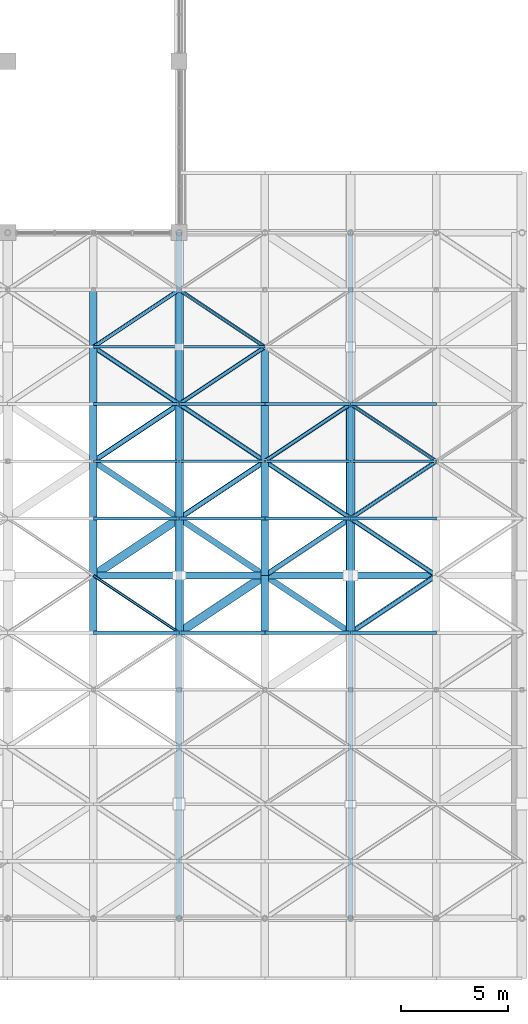
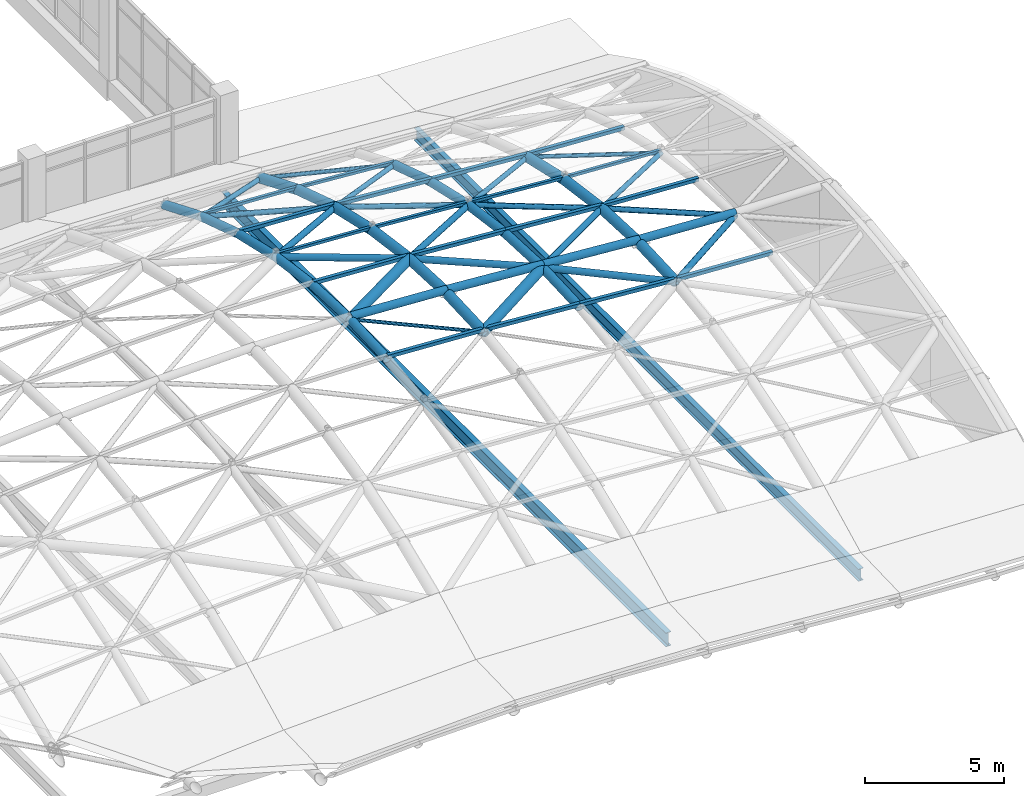
# One storey, part 31 of 72: 42 members, 23 beams.
"""IFC4 building model written with IfcOpenShell, lengths in metres."""

from ifc_helpers import new_model, si_unit, direction, frame, origin, origin_2d, place, context, subcontext, project, spatial, hollow_rectangle, hollow_circle, i_section, extrude, material, material_profile, profile_set, type_object, element, save


model = new_model("IFC4")

# Units and contexts
model_context = context("Model", 3, precision=1e-05, world=origin(), true_north=direction((0.0, 1.0)))
body_context = subcontext(model_context, "Body", "Model", "MODEL_VIEW")
ifc_project = project(units=[si_unit("LENGTHUNIT", "METRE"), si_unit("AREAUNIT", "SQUARE_METRE"), si_unit("VOLUMEUNIT", "CUBIC_METRE"), si_unit("PLANEANGLEUNIT", "RADIAN"), si_unit("MASSUNIT", "GRAM", prefix="KILO")], contexts=[model_context])

# Site, building, storey
site_placement = place(None, origin())
site = spatial("IfcSite", under=ifc_project, at=site_placement, CompositionType="ELEMENT")
building_placement = place(site_placement, origin())
building = spatial("IfcBuilding", under=site, at=building_placement, Name="Tenunan Teduh Sports Hall", CompositionType="ELEMENT")
storey_placement = place(building_placement, frame((0.0, 0.0, 15.0)))
storey = spatial("IfcBuildingStorey", under=building, at=storey_placement, Name="L03", CompositionType="ELEMENT", Elevation=15.0)

# Beams
ifc_material_1 = material(Name="Steel S355", Category="steel")
ifc_material_profile_1 = material_profile(ifc_material_1, hollow_circle(Radius=0.177734375, WallThickness=0.012451171875, at=origin_2d()), Name="CHS 355.6x12.5")
ifc_profile_set_1 = profile_set([ifc_material_profile_1], Name="Steel S355")
beam_type_1 = type_object("IfcBeamType", Name="GSB-CHS356", PredefinedType="BEAM", material=ifc_profile_set_1)
for number, where, z_axis, x_axis, name in (
    (1, (150.0, 27.333251953125, 5.0185546875), (0.0, 0.998970613421, 0.045362027305), (-1.0, 0.0, 0.0), "Gridshell Vault Arch BM-GR-04-L03-0166"),
    (2, (150.0, 30.0, 5.1396484375), (0.0, 0.998970613421, -0.045362027305), (-1.0, 0.0, 0.0), "Gridshell Vault Arch BM-GR-04-L03-0167"),
):
    element("IfcBeam", number, at=place(storey_placement, frame(where, z_axis=z_axis, x_axis=x_axis)), inside=storey, type_object=beam_type_1, Name=name, PredefinedType="BEAM", context=body_context, shape_type="SweptSolid", body=[
        extrude(hollow_circle(Radius=0.177734375, WallThickness=0.012451171875, at=origin_2d()), origin(), (0.0, 0.0, 1.0), 2.66943359375),
    ])
beam_1_placement = place(storey_placement, frame((150.0, 32.666748046875, 5.0185546875), z_axis=(0.0, 0.99065158568, -0.136416405866), x_axis=(-1.0, 0.0, 0.0)))
element("IfcBeam", 3, at=beam_1_placement, inside=storey, type_object=beam_type_1, Name="Gridshell Vault Arch BM-GR-04-L03-0168", PredefinedType="BEAM", context=body_context, shape_type="SweptSolid", body=[
    extrude(hollow_circle(Radius=0.177734375, WallThickness=0.012451171875, at=origin_2d()), origin(), (0.0, 0.0, 1.0), 2.691650390625),
])
beam_2_placement = place(storey_placement, frame((150.0, 35.333251953125, 4.6513671875), z_axis=(0.0, 0.974871798782, -0.222766640095), x_axis=(-1.0, 0.0, 0.0)))
element("IfcBeam", 4, at=beam_2_placement, inside=storey, type_object=beam_type_1, Name="Gridshell Vault Arch BM-GR-04-L03-0169", PredefinedType="BEAM", context=body_context, shape_type="SweptSolid", body=[
    extrude(hollow_circle(Radius=0.177734375, WallThickness=0.012451171875, at=origin_2d()), origin(), (0.0, 0.0, 1.0), 2.735595703125),
])
beam_3_placement = place(storey_placement, frame((150.0, 38.0, 4.0419921875), z_axis=(0.0, 0.952205270427, -0.305458872798), x_axis=(-1.0, 0.0, 0.0)))
element("IfcBeam", 5, at=beam_3_placement, inside=storey, type_object=beam_type_1, Name="Gridshell Vault Arch BM-GR-04-L03-0170", PredefinedType="BEAM", context=body_context, shape_type="SweptSolid", body=[
    extrude(hollow_circle(Radius=0.177734375, WallThickness=0.012451171875, at=origin_2d()), origin(), (0.0, 0.0, 1.0), 2.800537109375),
])
beam_4_placement = place(storey_placement, frame((150.0, 40.666748046875, 3.1865234375), z_axis=(0.0, 0.924239355634, -0.381813584748), x_axis=(-1.0, 0.0, 0.0)))
element("IfcBeam", 6, at=beam_4_placement, inside=storey, type_object=beam_type_1, Name="Gridshell Vault Arch BM-GR-04-L03-0171", PredefinedType="BEAM", context=body_context, shape_type="SweptSolid", body=[
    extrude(hollow_circle(Radius=0.177734375, WallThickness=0.012451171875, at=origin_2d()), origin(), (0.0, 0.0, 1.0), 2.885009765625),
])
for number, where, z_axis, x_axis, name in (
    (7, (158.0, 27.333251953125, 4.4990234375), (0.0, 0.998970613421, 0.045362027305), (-1.0, 0.0, 0.0), "Gridshell Vault Arch BM-GR-04-L03-0192"),
    (8, (158.0, 30.0, 4.6201171875), (0.0, 0.998970613421, -0.045362027305), (-1.0, 0.0, 0.0), "Gridshell Vault Arch BM-GR-04-L03-0193"),
):
    element("IfcBeam", number, at=place(storey_placement, frame(where, z_axis=z_axis, x_axis=x_axis)), inside=storey, type_object=beam_type_1, Name=name, PredefinedType="BEAM", context=body_context, shape_type="SweptSolid", body=[
        extrude(hollow_circle(Radius=0.177734375, WallThickness=0.012451171875, at=origin_2d()), origin(), (0.0, 0.0, 1.0), 2.66943359375),
    ])
beam_5_placement = place(storey_placement, frame((158.0, 32.666748046875, 4.4990234375), z_axis=(0.0, 0.99065158568, -0.136416405866), x_axis=(-1.0, 0.0, 0.0)))
element("IfcBeam", 9, at=beam_5_placement, inside=storey, type_object=beam_type_1, Name="Gridshell Vault Arch BM-GR-04-L03-0194", PredefinedType="BEAM", context=body_context, shape_type="SweptSolid", body=[
    extrude(hollow_circle(Radius=0.177734375, WallThickness=0.012451171875, at=origin_2d()), origin(), (0.0, 0.0, 1.0), 2.691650390625),
])
beam_6_placement = place(storey_placement, frame((158.0, 35.333251953125, 4.1318359375), z_axis=(0.0, 0.974871798782, -0.222766640095), x_axis=(-1.0, 0.0, 0.0)))
element("IfcBeam", 10, at=beam_6_placement, inside=storey, type_object=beam_type_1, Name="Gridshell Vault Arch BM-GR-04-L03-0195", PredefinedType="BEAM", context=body_context, shape_type="SweptSolid", body=[
    extrude(hollow_circle(Radius=0.177734375, WallThickness=0.012451171875, at=origin_2d()), origin(), (0.0, 0.0, 1.0), 2.735595703125),
])
beam_7_placement = place(storey_placement, frame((158.0, 38.0, 3.5224609375), z_axis=(0.0, 0.952205270427, -0.305458872798), x_axis=(-1.0, 0.0, 0.0)))
element("IfcBeam", 11, at=beam_7_placement, inside=storey, type_object=beam_type_1, Name="Gridshell Vault Arch BM-GR-04-L03-0196", PredefinedType="BEAM", context=body_context, shape_type="SweptSolid", body=[
    extrude(hollow_circle(Radius=0.177734375, WallThickness=0.012451171875, at=origin_2d()), origin(), (0.0, 0.0, 1.0), 2.800537109375),
])
ifc_material_2 = material(Name="Steel S355", Category="steel")
ifc_material_profile_2 = material_profile(ifc_material_2, hollow_circle(Radius=0.203125, WallThickness=0.01611328125, at=origin_2d()), Name="CHS 406.4x16.0")
ifc_profile_set_2 = profile_set([ifc_material_profile_2], Name="Steel S355")
beam_type_2 = type_object("IfcBeamType", Name="GSB-CHS406", PredefinedType="BEAM", material=ifc_profile_set_2)
for number, where, z_axis, x_axis, name in (
    (12, (154.0, 27.333251953125, 4.7958984375), (0.0, 0.998970613421, 0.045362027305), (-1.0, 0.0, 0.0), "Gridshell Vault Arch BM-GA-02-L03-0179"),
    (13, (154.0, 30.0, 4.9169921875), (0.0, 0.998970613421, -0.045362027305), (-1.0, 0.0, 0.0), "Gridshell Vault Arch BM-GA-02-L03-0180"),
):
    element("IfcBeam", number, at=place(storey_placement, frame(where, z_axis=z_axis, x_axis=x_axis)), inside=storey, type_object=beam_type_2, Name=name, PredefinedType="BEAM", context=body_context, shape_type="SweptSolid", body=[
        extrude(hollow_circle(Radius=0.203125, WallThickness=0.01611328125, at=origin_2d()), origin(), (0.0, 0.0, 1.0), 2.66943359375),
    ])
beam_8_placement = place(storey_placement, frame((154.0, 32.666748046875, 4.7958984375), z_axis=(0.0, 0.99065158568, -0.136416405866), x_axis=(-1.0, 0.0, 0.0)))
element("IfcBeam", 14, at=beam_8_placement, inside=storey, type_object=beam_type_2, Name="Gridshell Vault Arch BM-GA-02-L03-0181", PredefinedType="BEAM", context=body_context, shape_type="SweptSolid", body=[
    extrude(hollow_circle(Radius=0.203125, WallThickness=0.01611328125, at=origin_2d()), origin(), (0.0, 0.0, 1.0), 2.691650390625),
])
beam_9_placement = place(storey_placement, frame((154.0, 35.333251953125, 4.4287109375), z_axis=(0.0, 0.974871798782, -0.222766640095), x_axis=(-1.0, 0.0, 0.0)))
element("IfcBeam", 15, at=beam_9_placement, inside=storey, type_object=beam_type_2, Name="Gridshell Vault Arch BM-GA-02-L03-0182", PredefinedType="BEAM", context=body_context, shape_type="SweptSolid", body=[
    extrude(hollow_circle(Radius=0.203125, WallThickness=0.01611328125, at=origin_2d()), origin(), (0.0, 0.0, 1.0), 2.735595703125),
])
beam_10_placement = place(storey_placement, frame((154.0, 38.0, 3.8193359375), z_axis=(0.0, 0.952205270427, -0.305458872798), x_axis=(-1.0, 0.0, 0.0)))
element("IfcBeam", 16, at=beam_10_placement, inside=storey, type_object=beam_type_2, Name="Gridshell Vault Arch BM-GA-02-L03-0183", PredefinedType="BEAM", context=body_context, shape_type="SweptSolid", body=[
    extrude(hollow_circle(Radius=0.203125, WallThickness=0.01611328125, at=origin_2d()), origin(), (0.0, 0.0, 1.0), 2.800537109375),
])
beam_11_placement = place(storey_placement, frame((154.0, 40.666748046875, 2.9638671875), z_axis=(0.0, 0.924239355634, -0.381813584748), x_axis=(-1.0, 0.0, 0.0)))
element("IfcBeam", 17, at=beam_11_placement, inside=storey, type_object=beam_type_2, Name="Gridshell Vault Arch BM-GA-02-L03-0184", PredefinedType="BEAM", context=body_context, shape_type="SweptSolid", body=[
    extrude(hollow_circle(Radius=0.203125, WallThickness=0.01611328125, at=origin_2d()), origin(), (0.0, 0.0, 1.0), 2.885009765625),
])
for number, where, z_axis, x_axis, name in (
    (18, (162.0, 27.333251953125, 4.1982421875), (0.0, 0.998970613421, 0.045362027305), (-1.0, 0.0, 0.0), "Gridshell Vault Arch BM-GA-02-L03-0206"),
    (19, (162.0, 30.0, 4.3193359375), (0.0, 0.998970613421, -0.045362027305), (-1.0, 0.0, 0.0), "Gridshell Vault Arch BM-GA-02-L03-0207"),
):
    element("IfcBeam", number, at=place(storey_placement, frame(where, z_axis=z_axis, x_axis=x_axis)), inside=storey, type_object=beam_type_2, Name=name, PredefinedType="BEAM", context=body_context, shape_type="SweptSolid", body=[
        extrude(hollow_circle(Radius=0.203125, WallThickness=0.01611328125, at=origin_2d()), origin(), (0.0, 0.0, 1.0), 2.66943359375),
    ])
beam_12_placement = place(storey_placement, frame((162.0, 32.666748046875, 4.1982421875), z_axis=(0.0, 0.99065158568, -0.136416405866), x_axis=(-1.0, 0.0, 0.0)))
element("IfcBeam", 20, at=beam_12_placement, inside=storey, type_object=beam_type_2, Name="Gridshell Vault Arch BM-GA-02-L03-0208", PredefinedType="BEAM", context=body_context, shape_type="SweptSolid", body=[
    extrude(hollow_circle(Radius=0.203125, WallThickness=0.01611328125, at=origin_2d()), origin(), (0.0, 0.0, 1.0), 2.691650390625),
])
beam_13_placement = place(storey_placement, frame((162.0, 35.333251953125, 3.8310546875), z_axis=(0.0, 0.974871798782, -0.222766640095), x_axis=(-1.0, 0.0, 0.0)))
element("IfcBeam", 21, at=beam_13_placement, inside=storey, type_object=beam_type_2, Name="Gridshell Vault Arch BM-GA-02-L03-0209", PredefinedType="BEAM", context=body_context, shape_type="SweptSolid", body=[
    extrude(hollow_circle(Radius=0.203125, WallThickness=0.01611328125, at=origin_2d()), origin(), (0.0, 0.0, 1.0), 2.735595703125),
])

# Members
ifc_material_3 = material(Name="Steel S355", Category="steel")
ifc_material_profile_3 = material_profile(ifc_material_3, hollow_circle(Radius=0.06982421875, WallThickness=0.00634765625, at=origin_2d()), Name="CHS 139.7x6.3")
ifc_profile_set_3 = profile_set([ifc_material_profile_3], Name="Steel S355")
member_type_1 = type_object("IfcMemberType", Name="MEM-BR-CHS140", PredefinedType="BRACE", material=ifc_profile_set_3)
member_1_placement = place(storey_placement, frame((150.0, 30.0, 5.1396484375), z_axis=(0.829923581214, -0.553299272314, -0.071321557761), x_axis=(0.554711915519, 0.832042481356, 0.0)))
element("IfcMember", 22, at=member_1_placement, inside=storey, type_object=member_type_1, Name="MEM-GD-05-L03-0295", PredefinedType="BRACE", context=body_context, shape_type="SweptSolid", body=[
    extrude(hollow_circle(Radius=0.06982421875, WallThickness=0.00634765625, at=origin_2d()), origin(), (0.0, 0.0, 1.0), 4.81982421875),
])
ifc_material_4 = material(Name="Steel S355", Category="steel")
ifc_material_profile_4 = material_profile(ifc_material_4, hollow_circle(Radius=0.084228515625, WallThickness=0.008056640625, at=origin_2d()), Name="CHS 168.3x8.0")
ifc_profile_set_4 = profile_set([ifc_material_profile_4], Name="Steel S355")
member_type_2 = type_object("IfcMemberType", Name="MEM-BR-CHS168", PredefinedType="BRACE", material=ifc_profile_set_4)
member_2_placement = place(storey_placement, frame((154.0, 43.333251953125, 1.8623046875), z_axis=(0.820648537247, -0.547065632557, 0.165091404954), x_axis=(0.554676756648, 0.832065920246, 0.0)))
element("IfcMember", 23, at=member_2_placement, inside=storey, type_object=member_type_2, Name="MEM-GD-04-L03-0327", PredefinedType="BRACE", context=body_context, shape_type="SweptSolid", body=[
    extrude(hollow_circle(Radius=0.084228515625, WallThickness=0.008056640625, at=origin_2d()), origin(), (0.0, 0.0, 1.0), 4.874267578125),
])
member_3_placement = place(storey_placement, frame((162.0, 38.0, 3.2216796875), z_axis=(0.829309336898, -0.552889763607, 0.080987239931), x_axis=(0.554711915519, 0.832042481356, 0.0)))
element("IfcMember", 24, at=member_3_placement, inside=storey, type_object=member_type_2, Name="MEM-GD-04-L03-0379", PredefinedType="BRACE", context=body_context, shape_type="SweptSolid", body=[
    extrude(hollow_circle(Radius=0.084228515625, WallThickness=0.008056640625, at=origin_2d()), origin(), (0.0, 0.0, 1.0), 4.8232421875),
])
ifc_material_5 = material(Name="Steel S355", Category="steel")
ifc_material_profile_5 = material_profile(ifc_material_5, hollow_circle(Radius=0.096923828125, WallThickness=0.008056640625, at=origin_2d()), Name="CHS 193.7x8.0")
ifc_profile_set_5 = profile_set([ifc_material_profile_5], Name="Steel S355")
member_type_3 = type_object("IfcMemberType", Name="MEM-BR-CHS194", PredefinedType="BRACE", material=ifc_profile_set_5)
member_4_placement = place(storey_placement, frame((150.0, 40.666748046875, 3.1865234375), z_axis=(0.802188170965, 0.534759472856, -0.265568154255), x_axis=(-0.554676756648, 0.832065920246, 0.0)))
element("IfcMember", 25, at=member_4_placement, inside=storey, type_object=member_type_3, Name="MEM-GD-03-L03-0300", PredefinedType="BRACE", context=body_context, shape_type="SweptSolid", body=[
    extrude(hollow_circle(Radius=0.096923828125, WallThickness=0.008056640625, at=origin_2d()), origin(), (0.0, 0.0, 1.0), 4.986328125),
])
member_5_placement = place(storey_placement, frame((154.0, 38.0, 3.8193359375), z_axis=(0.809122643015, 0.539431556986, -0.233096855166), x_axis=(-0.554711915519, 0.832042481356, 0.0)))
element("IfcMember", 26, at=member_5_placement, inside=storey, type_object=member_type_3, Name="MEM-GD-03-L03-0326", PredefinedType="BRACE", context=body_context, shape_type="SweptSolid", body=[
    extrude(hollow_circle(Radius=0.096923828125, WallThickness=0.008056640625, at=origin_2d()), origin(), (0.0, 0.0, 1.0), 4.943603515625),
])
member_6_placement = place(storey_placement, frame((158.0, 35.333251953125, 4.1318359375), z_axis=(0.817520322289, 0.545030180686, -0.186017807708), x_axis=(-0.554711915519, 0.832042481356, 0.0)))
element("IfcMember", 27, at=member_6_placement, inside=storey, type_object=member_type_3, Name="MEM-GD-03-L03-0352", PredefinedType="BRACE", context=body_context, shape_type="SweptSolid", body=[
    extrude(hollow_circle(Radius=0.096923828125, WallThickness=0.008056640625, at=origin_2d()), origin(), (0.0, 0.0, 1.0), 4.892822265625),
])
member_7_placement = place(storey_placement, frame((162.0, 32.666748046875, 4.1982421875), z_axis=(0.825953410204, 0.550601998672, -0.120989269073), x_axis=(-0.554676756648, 0.832065920246, 0.0)))
element("IfcMember", 28, at=member_7_placement, inside=storey, type_object=member_type_3, Name="MEM-GD-03-L03-0378", PredefinedType="BRACE", context=body_context, shape_type="SweptSolid", body=[
    extrude(hollow_circle(Radius=0.096923828125, WallThickness=0.008056640625, at=origin_2d()), origin(), (0.0, 0.0, 1.0), 4.8427734375),
])
ifc_material_6 = material(Name="Steel S355", Category="steel")
ifc_material_profile_6 = material_profile(ifc_material_6, hollow_circle(Radius=0.109619140625, WallThickness=0.010009765625, at=origin_2d()), Name="CHS 219.1x10.0")
ifc_profile_set_6 = profile_set([ifc_material_profile_6], Name="Steel S355")
member_type_4 = type_object("IfcMemberType", Name="MEM-BR-CHS219", PredefinedType="BRACE", material=ifc_profile_set_6)
member_8_placement = place(storey_placement, frame((150.0, 40.666748046875, 3.1865234375), z_axis=(0.824926460417, -0.549967756783, 0.130505943933), x_axis=(0.554711915519, 0.832042481356, 0.0)))
element("IfcMember", 29, at=member_8_placement, inside=storey, type_object=member_type_4, Name="MEM-GD-02-L03-0299", PredefinedType="BRACE", context=body_context, shape_type="SweptSolid", body=[
    extrude(hollow_circle(Radius=0.109619140625, WallThickness=0.010009765625, at=origin_2d()), origin(), (0.0, 0.0, 1.0), 4.848876953125),
])
member_9_placement = place(storey_placement, frame((154.0, 38.0, 3.8193359375), z_axis=(0.83029016339, -0.55354366789, 0.064866419015), x_axis=(0.554711915519, 0.832042481356, 0.0)))
element("IfcMember", 30, at=member_9_placement, inside=storey, type_object=member_type_4, Name="MEM-GD-02-L03-0325", PredefinedType="BRACE", context=body_context, shape_type="SweptSolid", body=[
    extrude(hollow_circle(Radius=0.109619140625, WallThickness=0.010009765625, at=origin_2d()), origin(), (0.0, 0.0, 1.0), 4.817626953125),
])
member_10_placement = place(storey_placement, frame((158.0, 35.333251953125, 4.1318359375), z_axis=(0.831986546113, -0.55462384379, 0.013812276644), x_axis=(0.554676756648, 0.832065920246, 0.0)))
element("IfcMember", 31, at=member_10_placement, inside=storey, type_object=member_type_4, Name="MEM-GD-02-L03-0351", PredefinedType="BRACE", context=body_context, shape_type="SweptSolid", body=[
    extrude(hollow_circle(Radius=0.109619140625, WallThickness=0.010009765625, at=origin_2d()), origin(), (0.0, 0.0, 1.0), 4.807861328125),
])
member_11_placement = place(storey_placement, frame((162.0, 32.666748046875, 4.1982421875), z_axis=(0.831870867548, -0.554597502821, -0.020309347352), x_axis=(0.554711915519, 0.832042481356, 0.0)))
element("IfcMember", 32, at=member_11_placement, inside=storey, type_object=member_type_4, Name="MEM-GD-02-L03-0377", PredefinedType="BRACE", context=body_context, shape_type="SweptSolid", body=[
    extrude(hollow_circle(Radius=0.109619140625, WallThickness=0.010009765625, at=origin_2d()), origin(), (0.0, 0.0, 1.0), 4.808349609375),
])
ifc_material_7 = material(Name="Steel S355", Category="steel")
ifc_material_profile_7 = material_profile(ifc_material_7, hollow_circle(Radius=0.122314453125, WallThickness=0.010009765625, at=origin_2d()), Name="CHS 244.5x10.0")
ifc_profile_set_7 = profile_set([ifc_material_profile_7], Name="Steel S355")
member_type_5 = type_object("IfcMemberType", Name="MEM-BR-CHS245", PredefinedType="BRACE", material=ifc_profile_set_7)
member_12_placement = place(storey_placement, frame((150.0, 35.333251953125, 4.6513671875), z_axis=(0.819854249559, 0.546586179684, -0.17053608902), x_axis=(-0.554711915519, 0.832042481356, 0.0)))
element("IfcMember", 33, at=member_12_placement, inside=storey, type_object=member_type_5, Name="MEM-GD-01-L03-0298", PredefinedType="BRACE", context=body_context, shape_type="SweptSolid", body=[
    extrude(hollow_circle(Radius=0.122314453125, WallThickness=0.010009765625, at=origin_2d()), origin(), (0.0, 0.0, 1.0), 4.87890625),
])
member_13_placement = place(storey_placement, frame((154.0, 32.666748046875, 4.7958984375), z_axis=(0.824239204019, 0.5494592643, -0.136836586605), x_axis=(-0.554676756648, 0.832065920246, 0.0)))
element("IfcMember", 34, at=member_13_placement, inside=storey, type_object=member_type_5, Name="MEM-GD-01-L03-0324", PredefinedType="BRACE", context=body_context, shape_type="SweptSolid", body=[
    extrude(hollow_circle(Radius=0.122314453125, WallThickness=0.010009765625, at=origin_2d()), origin(), (0.0, 0.0, 1.0), 4.85302734375),
])
member_14_placement = place(storey_placement, frame((158.0, 30.0, 4.6201171875), z_axis=(0.828857150222, 0.552588296623, -0.087418527562), x_axis=(-0.554711915519, 0.832042481356, 0.0)))
element("IfcMember", 35, at=member_14_placement, inside=storey, type_object=member_type_5, Name="MEM-GD-01-L03-0350", PredefinedType="BRACE", context=body_context, shape_type="SweptSolid", body=[
    extrude(hollow_circle(Radius=0.122314453125, WallThickness=0.010009765625, at=origin_2d()), origin(), (0.0, 0.0, 1.0), 4.825927734375),
])
member_15_placement = place(storey_placement, frame((162.0, 27.333251953125, 4.1982421875), z_axis=(0.831870867548, 0.554597502821, -0.020309347352), x_axis=(-0.554711915519, 0.832042481356, 0.0)))
element("IfcMember", 36, at=member_15_placement, inside=storey, type_object=member_type_5, Name="MEM-GD-01-L03-0376", PredefinedType="BRACE", context=body_context, shape_type="SweptSolid", body=[
    extrude(hollow_circle(Radius=0.122314453125, WallThickness=0.010009765625, at=origin_2d()), origin(), (0.0, 0.0, 1.0), 4.808349609375),
])
ifc_material_8 = material(Name="Steel S355", Category="steel")
ifc_material_profile_8 = material_profile(ifc_material_8, hollow_circle(Radius=0.136474609375, WallThickness=0.010009765625, at=origin_2d()), Name="CHS 273.0x10.0")
ifc_profile_set_8 = profile_set([ifc_material_profile_8], Name="Steel S355")
member_type_6 = type_object("IfcMemberType", Name="MEM-CH-CHS273", PredefinedType="CHORD", material=ifc_profile_set_8)
member_16_placement = place(storey_placement, frame((150.0, 35.333251953125, 4.6513671875), z_axis=(0.831690123992, -0.554426241103, 0.030051303308), x_axis=(0.554676756648, 0.832065920246, 0.0)))
element("IfcMember", 37, at=member_16_placement, inside=storey, type_object=member_type_6, Name="MEM-GC-03-L03-0297", PredefinedType="CHORD", context=body_context, shape_type="SweptSolid", body=[
    extrude(hollow_circle(Radius=0.136474609375, WallThickness=0.010009765625, at=origin_2d()), origin(), (0.0, 0.0, 1.0), 4.8095703125),
])
member_17_placement = place(storey_placement, frame((154.0, 32.666748046875, 4.7958984375), z_axis=(0.831486837632, -0.554341475065, -0.036539948919), x_axis=(0.554711915519, 0.832042481356, 0.0)))
element("IfcMember", 38, at=member_17_placement, inside=storey, type_object=member_type_6, Name="MEM-GC-03-L03-0323", PredefinedType="CHORD", context=body_context, shape_type="SweptSolid", body=[
    extrude(hollow_circle(Radius=0.136474609375, WallThickness=0.010009765625, at=origin_2d()), origin(), (0.0, 0.0, 1.0), 4.810546875),
])
member_18_placement = place(storey_placement, frame((158.0, 30.0, 4.6201171875), z_axis=(0.828857150222, -0.552588296623, -0.087418527562), x_axis=(0.554711915519, 0.832042481356, 0.0)))
element("IfcMember", 39, at=member_18_placement, inside=storey, type_object=member_type_6, Name="MEM-GC-03-L03-0349", PredefinedType="CHORD", context=body_context, shape_type="SweptSolid", body=[
    extrude(hollow_circle(Radius=0.136474609375, WallThickness=0.010009765625, at=origin_2d()), origin(), (0.0, 0.0, 1.0), 4.825927734375),
])
ifc_material_9 = material(Name="Steel S355", Category="steel")
ifc_material_profile_9 = material_profile(ifc_material_9, hollow_circle(Radius=0.161865234375, WallThickness=0.012451171875, at=origin_2d()), Name="CHS 323.9x12.5")
ifc_profile_set_9 = profile_set([ifc_material_profile_9], Name="Steel S355")
member_type_7 = type_object("IfcMemberType", Name="MEM-CH-CHS324", PredefinedType="CHORD", material=ifc_profile_set_9)
member_19_placement = place(storey_placement, frame((150.0, 30.0, 5.259521484375), z_axis=(0.998454347037, 0.0, -0.055578025177), x_axis=(0.0, 1.0, 0.0)))
element("IfcMember", 40, at=member_19_placement, inside=storey, type_object=member_type_7, Name="MEM-GC-02-L03-0283", PredefinedType="CHORD", context=body_context, shape_type="SweptSolid", body=[
    extrude(hollow_circle(Radius=0.161865234375, WallThickness=0.012451171875, at=origin_2d()), origin(), (0.0, 0.0, 1.0), 4.006103515625),
])
member_20_placement = place(storey_placement, frame((154.0, 30.0, 5.036865234375), z_axis=(0.997257115114, 0.0, -0.074015176512), x_axis=(0.0, 1.0, 0.0)))
element("IfcMember", 41, at=member_20_placement, inside=storey, type_object=member_type_7, Name="MEM-GC-02-L03-0309", PredefinedType="CHORD", context=body_context, shape_type="SweptSolid", body=[
    extrude(hollow_circle(Radius=0.161865234375, WallThickness=0.012451171875, at=origin_2d()), origin(), (0.0, 0.0, 1.0), 4.010986328125),
])
member_21_placement = place(storey_placement, frame((158.0, 30.0, 4.739990234375), z_axis=(0.997184765588, 0.0, -0.074983620069), x_axis=(0.0, 1.0, 0.0)))
element("IfcMember", 42, at=member_21_placement, inside=storey, type_object=member_type_7, Name="MEM-GC-02-L03-0336", PredefinedType="CHORD", context=body_context, shape_type="SweptSolid", body=[
    extrude(hollow_circle(Radius=0.161865234375, WallThickness=0.012451171875, at=origin_2d()), origin(), (0.0, 0.0, 1.0), 4.01123046875),
])
member_22_placement = place(storey_placement, frame((162.0, 30.0, 4.439208984375), z_axis=(0.998507984492, 0.0, -0.054605905402), x_axis=(0.0, 1.0, 0.0)))
element("IfcMember", 43, at=member_22_placement, inside=storey, type_object=member_type_7, Name="MEM-GC-02-L03-0363", PredefinedType="CHORD", context=body_context, shape_type="SweptSolid", body=[
    extrude(hollow_circle(Radius=0.161865234375, WallThickness=0.012451171875, at=origin_2d()), origin(), (0.0, 0.0, 1.0), 4.005859375),
])
ifc_material_10 = material(Name="Steel S355", Category="steel")
ifc_material_profile_10 = material_profile(ifc_material_10, hollow_circle(Radius=0.203125, WallThickness=0.012451171875, at=origin_2d()), Name="CHS 406.4x12.5")
ifc_profile_set_10 = profile_set([ifc_material_profile_10], Name="Steel S355")
member_type_8 = type_object("IfcMemberType", Name="MEM-CH-CHS406L", PredefinedType="CHORD", material=ifc_profile_set_10)
member_23_placement = place(storey_placement, frame((150.0, 30.0, 5.1396484375), z_axis=(0.829923581214, 0.553299272314, -0.071321557761), x_axis=(-0.554711915519, 0.832042481356, 0.0)))
element("IfcMember", 44, at=member_23_placement, inside=storey, type_object=member_type_8, Name="MEM-GC-01-L03-0296", PredefinedType="CHORD", context=body_context, shape_type="SweptSolid", body=[
    extrude(hollow_circle(Radius=0.203125, WallThickness=0.012451171875, at=origin_2d()), origin(), (0.0, 0.0, 1.0), 4.81982421875),
])
member_24_placement = place(storey_placement, frame((154.0, 27.333251953125, 4.7958984375), z_axis=(0.831486837632, 0.554341475065, -0.036539948919), x_axis=(-0.554711915519, 0.832042481356, 0.0)))
element("IfcMember", 45, at=member_24_placement, inside=storey, type_object=member_type_8, Name="MEM-GC-01-L03-0322", PredefinedType="CHORD", context=body_context, shape_type="SweptSolid", body=[
    extrude(hollow_circle(Radius=0.203125, WallThickness=0.012451171875, at=origin_2d()), origin(), (0.0, 0.0, 1.0), 4.810546875),
])
ifc_material_11 = material(Name="Steel S355", Category="steel")
ifc_material_profile_11 = material_profile(ifc_material_11, hollow_rectangle(XDim=0.1201171875, YDim=0.1201171875, WallThickness=0.00634765625, at=origin_2d()), Name="SHS 120x120x6.3")
ifc_profile_set_11 = profile_set([ifc_material_profile_11], Name="Steel S355")
member_type_9 = type_object("IfcMemberType", Name="MEM-PR-SHS120", PredefinedType="PURLIN", material=ifc_profile_set_11)
for number, where, z_axis, x_axis, name in (
    (46, (150.0, 35.333251953125, 4.771240234375), (0.998454347037, 0.0, -0.055578025177), (0.0, 1.0, 0.0), "MEM-PR-02-L03-0285"),
    (47, (150.0, 40.666748046875, 3.306396484375), (0.998454347037, 0.0, -0.055578025177), (0.0, 1.0, 0.0), "MEM-PR-02-L03-0287"),
):
    element("IfcMember", number, at=place(storey_placement, frame(where, z_axis=z_axis, x_axis=x_axis)), inside=storey, type_object=member_type_9, Name=name, PredefinedType="PURLIN", context=body_context, shape_type="SweptSolid", body=[
        extrude(hollow_rectangle(XDim=0.1201171875, YDim=0.1201171875, WallThickness=0.00634765625, at=origin_2d()), origin(), (0.0, 0.0, 1.0), 4.006103515625),
    ])
for number, where, z_axis, x_axis, name in (
    (48, (154.0, 35.333251953125, 4.548583984375), (0.997257115114, 0.0, -0.074015176512), (0.0, 1.0, 0.0), "MEM-PR-02-L03-0311"),
    (49, (154.0, 40.666748046875, 3.083740234375), (0.997257115114, 0.0, -0.074015176512), (0.0, 1.0, 0.0), "MEM-PR-02-L03-0313"),
):
    element("IfcMember", number, at=place(storey_placement, frame(where, z_axis=z_axis, x_axis=x_axis)), inside=storey, type_object=member_type_9, Name=name, PredefinedType="PURLIN", context=body_context, shape_type="SweptSolid", body=[
        extrude(hollow_rectangle(XDim=0.1201171875, YDim=0.1201171875, WallThickness=0.00634765625, at=origin_2d()), origin(), (0.0, 0.0, 1.0), 4.010986328125),
    ])
member_25_placement = place(storey_placement, frame((158.0, 35.333251953125, 4.251708984375), z_axis=(0.997184765588, 0.0, -0.074983620069), x_axis=(0.0, 1.0, 0.0)))
element("IfcMember", 50, at=member_25_placement, inside=storey, type_object=member_type_9, Name="MEM-PR-02-L03-0338", PredefinedType="PURLIN", context=body_context, shape_type="SweptSolid", body=[
    extrude(hollow_rectangle(XDim=0.1201171875, YDim=0.1201171875, WallThickness=0.00634765625, at=origin_2d()), origin(), (0.0, 0.0, 1.0), 4.01123046875),
])
member_26_placement = place(storey_placement, frame((162.0, 35.333251953125, 3.950927734375), z_axis=(0.998507984492, 0.0, -0.054605905402), x_axis=(0.0, 1.0, 0.0)))
element("IfcMember", 51, at=member_26_placement, inside=storey, type_object=member_type_9, Name="MEM-PR-02-L03-0365", PredefinedType="PURLIN", context=body_context, shape_type="SweptSolid", body=[
    extrude(hollow_rectangle(XDim=0.1201171875, YDim=0.1201171875, WallThickness=0.00634765625, at=origin_2d()), origin(), (0.0, 0.0, 1.0), 4.005859375),
])
ifc_material_12 = material(Name="Steel S355", Category="steel")
ifc_material_profile_12 = material_profile(ifc_material_12, hollow_rectangle(XDim=0.14990234375, YDim=0.14990234375, WallThickness=0.008056640625, at=origin_2d()), Name="SHS 150x150x8.0")
ifc_profile_set_12 = profile_set([ifc_material_profile_12], Name="Steel S355")
member_type_10 = type_object("IfcMemberType", Name="MEM-PR-SHS150", PredefinedType="PURLIN", material=ifc_profile_set_12)
for number, where, z_axis, x_axis, name in (
    (52, (150.0, 27.333251953125, 5.138427734375), (0.998454347037, 0.0, -0.055578025177), (0.0, 1.0, 0.0), "MEM-PR-01-L03-0282"),
    (53, (150.0, 32.666748046875, 5.138427734375), (0.998454347037, 0.0, -0.055578025177), (0.0, 1.0, 0.0), "MEM-PR-01-L03-0284"),
    (54, (150.0, 38.0, 4.161865234375), (0.998454347037, 0.0, -0.055578025177), (0.0, 1.0, 0.0), "MEM-PR-01-L03-0286"),
):
    element("IfcMember", number, at=place(storey_placement, frame(where, z_axis=z_axis, x_axis=x_axis)), inside=storey, type_object=member_type_10, Name=name, PredefinedType="PURLIN", context=body_context, shape_type="SweptSolid", body=[
        extrude(hollow_rectangle(XDim=0.14990234375, YDim=0.14990234375, WallThickness=0.008056640625, at=origin_2d()), origin(), (0.0, 0.0, 1.0), 4.006103515625),
    ])
for number, where, z_axis, x_axis, name in (
    (55, (154.0, 27.333251953125, 4.915771484375), (0.997257115114, 0.0, -0.074015176512), (0.0, 1.0, 0.0), "MEM-PR-01-L03-0308"),
    (56, (154.0, 32.666748046875, 4.915771484375), (0.997257115114, 0.0, -0.074015176512), (0.0, 1.0, 0.0), "MEM-PR-01-L03-0310"),
    (57, (154.0, 38.0, 3.939208984375), (0.997257115114, 0.0, -0.074015176512), (0.0, 1.0, 0.0), "MEM-PR-01-L03-0312"),
):
    element("IfcMember", number, at=place(storey_placement, frame(where, z_axis=z_axis, x_axis=x_axis)), inside=storey, type_object=member_type_10, Name=name, PredefinedType="PURLIN", context=body_context, shape_type="SweptSolid", body=[
        extrude(hollow_rectangle(XDim=0.14990234375, YDim=0.14990234375, WallThickness=0.008056640625, at=origin_2d()), origin(), (0.0, 0.0, 1.0), 4.010986328125),
    ])
for number, where, z_axis, x_axis, name in (
    (58, (158.0, 27.333251953125, 4.618896484375), (0.997184765588, 0.0, -0.074983620069), (0.0, 1.0, 0.0), "MEM-PR-01-L03-0335"),
    (59, (158.0, 32.666748046875, 4.618896484375), (0.997184765588, 0.0, -0.074983620069), (0.0, 1.0, 0.0), "MEM-PR-01-L03-0337"),
    (60, (158.0, 38.0, 3.642333984375), (0.997184765588, 0.0, -0.074983620069), (0.0, 1.0, 0.0), "MEM-PR-01-L03-0339"),
):
    element("IfcMember", number, at=place(storey_placement, frame(where, z_axis=z_axis, x_axis=x_axis)), inside=storey, type_object=member_type_10, Name=name, PredefinedType="PURLIN", context=body_context, shape_type="SweptSolid", body=[
        extrude(hollow_rectangle(XDim=0.14990234375, YDim=0.14990234375, WallThickness=0.008056640625, at=origin_2d()), origin(), (0.0, 0.0, 1.0), 4.01123046875),
    ])
for number, where, z_axis, x_axis, name in (
    (61, (162.0, 27.333251953125, 4.318115234375), (0.998507984492, 0.0, -0.054605905402), (0.0, 1.0, 0.0), "MEM-PR-01-L03-0362"),
    (62, (162.0, 32.666748046875, 4.318115234375), (0.998507984492, 0.0, -0.054605905402), (0.0, 1.0, 0.0), "MEM-PR-01-L03-0364"),
    (63, (162.0, 38.0, 3.341552734375), (0.998507984492, 0.0, -0.054605905402), (0.0, 1.0, 0.0), "MEM-PR-01-L03-0366"),
):
    element("IfcMember", number, at=place(storey_placement, frame(where, z_axis=z_axis, x_axis=x_axis)), inside=storey, type_object=member_type_10, Name=name, PredefinedType="PURLIN", context=body_context, shape_type="SweptSolid", body=[
        extrude(hollow_rectangle(XDim=0.14990234375, YDim=0.14990234375, WallThickness=0.008056640625, at=origin_2d()), origin(), (0.0, 0.0, 1.0), 4.005859375),
    ])

# Beams
ifc_material_13 = material(Name="Steel S355", Category="steel")
ifc_material_profile_13 = material_profile(ifc_material_13, i_section(OverallWidth=0.2099609375, OverallDepth=0.53662109375, WebThickness=0.0107421875, FlangeThickness=0.017333984375, FilletRadius=0.0126953125, at=origin_2d()), Name="UKB 533x210x101")
ifc_profile_set_13 = profile_set([ifc_material_profile_13], Name="Steel S355")
beam_type_3 = type_object("IfcBeamType", Name="SBM-UKB533", PredefinedType="BEAM", material=ifc_profile_set_13)
beam_14_placement = place(storey_placement, frame((162.0, 14.0, -0.58837890625), z_axis=(0.0, 1.0, 0.0), x_axis=(-1.0, 0.0, 0.0)))
element("IfcBeam", 64, at=beam_14_placement, inside=storey, type_object=beam_type_3, Name="BM-SB-05-L03-0068", PredefinedType="BEAM", context=body_context, shape_type="SweptSolid", body=[
    extrude(i_section(OverallWidth=0.2099609375, OverallDepth=0.53662109375, WebThickness=0.0107421875, FlangeThickness=0.017333984375, FilletRadius=0.0126953125, at=origin_2d()), origin(), (0.0, 0.0, 1.0), 32.0),
])
ifc_material_14 = material(Name="Steel S355", Category="steel")
ifc_material_profile_14 = material_profile(ifc_material_14, i_section(OverallWidth=0.22900390625, OverallDepth=0.6123046875, WebThickness=0.011962890625, FlangeThickness=0.01953125, FilletRadius=0.0126953125, at=origin_2d()), Name="UKB 610x229x125")
ifc_profile_set_14 = profile_set([ifc_material_profile_14], Name="Steel S355")
beam_type_4 = type_object("IfcBeamType", Name="SBM-UKB610", PredefinedType="BEAM", material=ifc_profile_set_14)
beam_15_placement = place(storey_placement, frame((154.0, 14.0, -0.626220703125), z_axis=(0.0, 1.0, 0.0), x_axis=(-1.0, 0.0, 0.0)))
element("IfcBeam", 65, at=beam_15_placement, inside=storey, type_object=beam_type_4, Name="BM-SB-06-L03-0067", PredefinedType="BEAM", context=body_context, shape_type="SweptSolid", body=[
    extrude(i_section(OverallWidth=0.22900390625, OverallDepth=0.6123046875, WebThickness=0.011962890625, FlangeThickness=0.01953125, FilletRadius=0.0126953125, at=origin_2d()), origin(), (0.0, 0.0, 1.0), 32.0),
])

save(model, "model.ifc")
